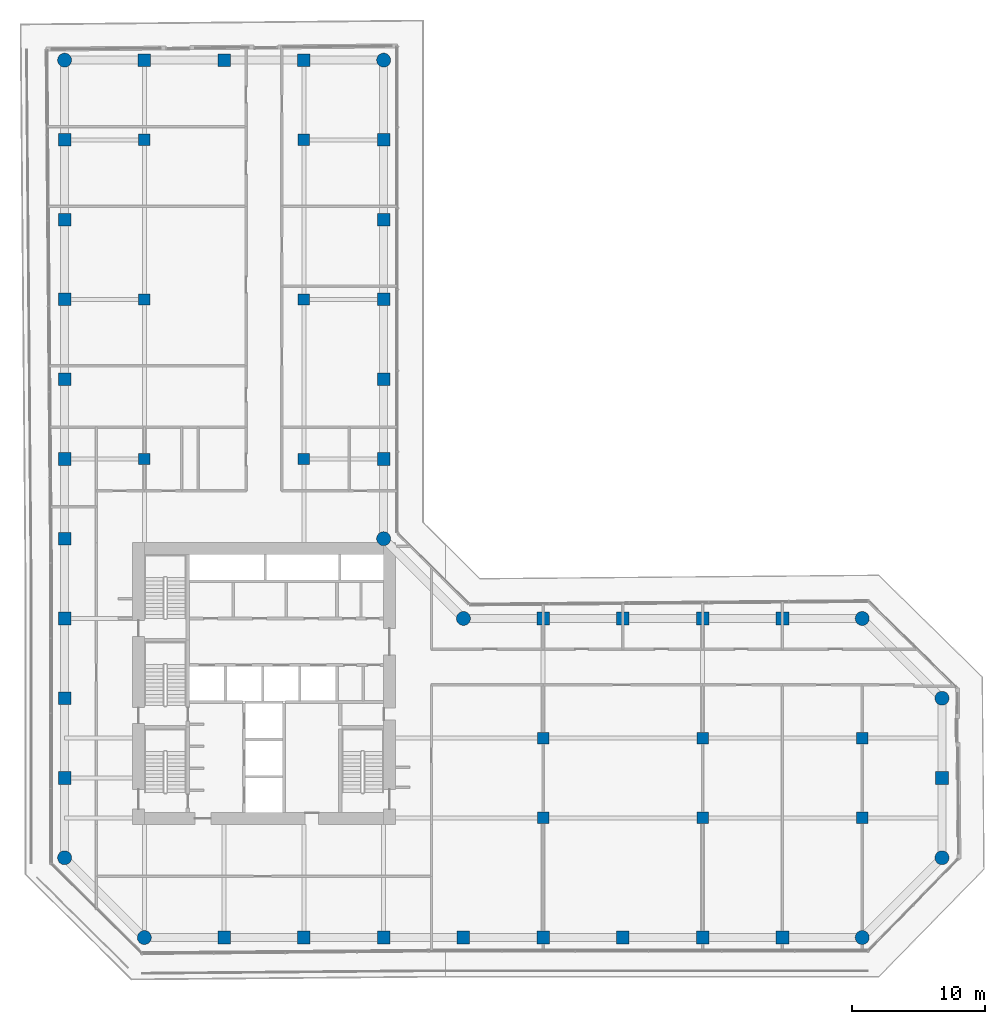
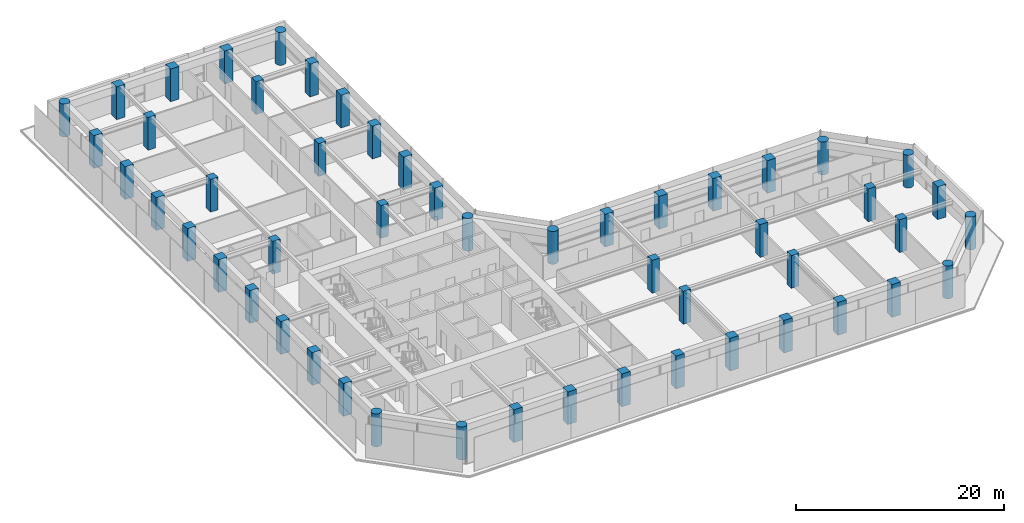
# One storey, part 1 of 28: 52 columns.
"""IFC4 building model written with IfcOpenShell, lengths in metres."""

from ifc_helpers import new_model, si_unit, direction, frame, origin, origin_2d, place, context, subcontext, project, spatial, rectangle, circle, extrude, material, material_profile, profile_set, type_object, element, save


model = new_model("IFC4")

# Units and contexts
model_context = context("Model", 3, precision=1e-05, world=origin(), true_north=direction((0.0, 1.0)))
body_context = subcontext(model_context, "Body", "Model", "MODEL_VIEW")
ifc_project = project(units=[si_unit("LENGTHUNIT", "METRE"), si_unit("AREAUNIT", "SQUARE_METRE"), si_unit("VOLUMEUNIT", "CUBIC_METRE"), si_unit("PLANEANGLEUNIT", "RADIAN"), si_unit("MASSUNIT", "GRAM", prefix="KILO")], contexts=[model_context])

# Site, building, storey
site_placement = place(None, origin())
site = spatial("IfcSite", under=ifc_project, at=site_placement, CompositionType="ELEMENT")
building_placement = place(site_placement, origin())
building = spatial("IfcBuilding", under=site, at=building_placement, Name="Welwitschia Terrace Campus", CompositionType="ELEMENT")
storey_placement = place(building_placement, frame((0.0, 0.0, 54.199951171875)))
storey = spatial("IfcBuildingStorey", under=building, at=storey_placement, Name="L12", CompositionType="ELEMENT", Elevation=54.199951171875)

# Columns
ifc_material_1 = material(Name="Concrete C60/75", Category="concrete")
ifc_material_profile_1 = material_profile(ifc_material_1, circle(Radius=0.52490234375, at=origin_2d()))
ifc_profile_set_1 = profile_set([ifc_material_profile_1], Name="Concrete C60/75")
column_type_1 = type_object("IfcColumnType", Name="Corner column 1050 dia", PredefinedType="COLUMN", material=ifc_profile_set_1)
for number, where, z_axis, x_axis, name in (
    (1, (0.0, 2.0, 0.0), (0.0, 0.0, 1.0), (1.0, 0.0, 0.0), "Column C5"),
    (2, (0.0, 62.0, 0.0), (0.0, 0.0, 1.0), (1.0, 0.0, 0.0), "Column C5"),
    (3, (6.0, -4.0, 0.0), (0.0, 0.0, 1.0), (1.0, 0.0, 0.0), "Column C5"),
    (4, (24.0, 26.0, 0.0), (0.0, 0.0, 1.0), (1.0, 0.0, 0.0), "Column C5"),
    (5, (24.0, 62.0, 0.0), (0.0, 0.0, 1.0), (1.0, 0.0, 0.0), "Column C5"),
    (6, (30.0, 20.0, 0.0), (0.0, 0.0, 1.0), (1.0, 0.0, 0.0), "Column C5"),
    (7, (60.0, -4.0, 0.0), (0.0, 0.0, 1.0), (1.0, 0.0, 0.0), "Column C5"),
    (8, (60.0, 20.0, 0.0), (0.0, 0.0, 1.0), (1.0, 0.0, 0.0), "Column C5"),
    (9, (66.0, 2.0, 0.0), (0.0, 0.0, 1.0), (1.0, 0.0, 0.0), "Column C5"),
    (10, (66.0, 14.0, 0.0), (0.0, 0.0, 1.0), (1.0, 0.0, 0.0), "Column C5"),
):
    element("IfcColumn", number, at=place(storey_placement, frame(where, z_axis=z_axis, x_axis=x_axis)), inside=storey, type_object=column_type_1, Name=name, PredefinedType="COLUMN", context=body_context, shape_type="SweptSolid", body=[
        extrude(circle(Radius=0.52490234375, at=origin_2d()), origin(), (0.0, 0.0, 1.0), 3.85009765625),
    ])
ifc_material_2 = material(Name="Concrete C60/75", Category="concrete")
ifc_material_profile_2 = material_profile(ifc_material_2, rectangle(XDim=0.85009765625, YDim=0.85009765625, at=origin_2d()))
ifc_profile_set_2 = profile_set([ifc_material_profile_2], Name="Concrete C60/75")
column_type_2 = type_object("IfcColumnType", Name="Interior column 850x850", PredefinedType="COLUMN", material=ifc_profile_set_2)
for number, where, z_axis, x_axis, name in (
    (11, (6.0, 32.0, 0.0), (0.0, 0.0, 1.0), (1.0, 0.0, 0.0), "Column C7"),
    (12, (6.0, 44.0, 0.0), (0.0, 0.0, 1.0), (1.0, 0.0, 0.0), "Column C7"),
    (13, (6.0, 56.0, 0.0), (0.0, 0.0, 1.0), (1.0, 0.0, 0.0), "Column C7"),
    (14, (18.0, 32.0, 0.0), (0.0, 0.0, 1.0), (1.0, 0.0, 0.0), "Column C7"),
    (15, (18.0, 44.0, 0.0), (0.0, 0.0, 1.0), (1.0, 0.0, 0.0), "Column C7"),
    (16, (18.0, 56.0, 0.0), (0.0, 0.0, 1.0), (1.0, 0.0, 0.0), "Column C7"),
    (17, (36.0, 5.0, 0.0), (0.0, 0.0, 1.0), (1.0, 0.0, 0.0), "Column C7"),
    (18, (36.0, 11.0, 0.0), (0.0, 0.0, 1.0), (1.0, 0.0, 0.0), "Column C7"),
    (19, (48.0, 5.0, 0.0), (0.0, 0.0, 1.0), (1.0, 0.0, 0.0), "Column C7"),
    (20, (48.0, 11.0, 0.0), (0.0, 0.0, 1.0), (1.0, 0.0, 0.0), "Column C7"),
    (21, (60.0, 5.0, 0.0), (0.0, 0.0, 1.0), (1.0, 0.0, 0.0), "Column C7"),
    (22, (60.0, 11.0, 0.0), (0.0, 0.0, 1.0), (1.0, 0.0, 0.0), "Column C7"),
):
    element("IfcColumn", number, at=place(storey_placement, frame(where, z_axis=z_axis, x_axis=x_axis)), inside=storey, type_object=column_type_2, Name=name, PredefinedType="COLUMN", context=body_context, shape_type="SweptSolid", body=[
        extrude(rectangle(XDim=0.85009765625, YDim=0.85009765625, at=origin_2d()), origin(), (0.0, 0.0, 1.0), 3.85009765625),
    ])
ifc_material_3 = material(Name="Concrete C60/75", Category="concrete")
ifc_material_profile_3 = material_profile(ifc_material_3, rectangle(XDim=0.949951171875, YDim=0.949951171875, at=origin_2d()))
ifc_profile_set_3 = profile_set([ifc_material_profile_3], Name="Concrete C60/75")
column_type_3 = type_object("IfcColumnType", Name="Ring column 950x950", PredefinedType="COLUMN", material=ifc_profile_set_3)
for number, where, z_axis, x_axis, name in (
    (23, (0.0, 8.0, 0.0), (0.0, 0.0, 1.0), (1.0, 0.0, 0.0), "Column C6"),
    (24, (0.0, 14.0, 0.0), (0.0, 0.0, 1.0), (1.0, 0.0, 0.0), "Column C6"),
    (25, (0.0, 20.0, 0.0), (0.0, 0.0, 1.0), (1.0, 0.0, 0.0), "Column C6"),
    (26, (0.0, 26.0, 0.0), (0.0, 0.0, 1.0), (1.0, 0.0, 0.0), "Column C6"),
    (27, (0.0, 32.0, 0.0), (0.0, 0.0, 1.0), (1.0, 0.0, 0.0), "Column C6"),
    (28, (0.0, 38.0, 0.0), (0.0, 0.0, 1.0), (1.0, 0.0, 0.0), "Column C6"),
    (29, (0.0, 44.0, 0.0), (0.0, 0.0, 1.0), (1.0, 0.0, 0.0), "Column C6"),
    (30, (0.0, 50.0, 0.0), (0.0, 0.0, 1.0), (1.0, 0.0, 0.0), "Column C6"),
    (31, (0.0, 56.0, 0.0), (0.0, 0.0, 1.0), (1.0, 0.0, 0.0), "Column C6"),
    (32, (6.0, 62.0, 0.0), (0.0, 0.0, 1.0), (1.0, 0.0, 0.0), "Column C6"),
    (33, (12.0, -4.0, 0.0), (0.0, 0.0, 1.0), (1.0, 0.0, 0.0), "Column C6"),
    (34, (12.0, 62.0, 0.0), (0.0, 0.0, 1.0), (1.0, 0.0, 0.0), "Column C6"),
    (35, (18.0, -4.0, 0.0), (0.0, 0.0, 1.0), (1.0, 0.0, 0.0), "Column C6"),
    (36, (18.0, 62.0, 0.0), (0.0, 0.0, 1.0), (1.0, 0.0, 0.0), "Column C6"),
    (37, (24.0, -4.0, 0.0), (0.0, 0.0, 1.0), (1.0, 0.0, 0.0), "Column C6"),
    (38, (24.0, 32.0, 0.0), (0.0, 0.0, 1.0), (1.0, 0.0, 0.0), "Column C6"),
    (39, (24.0, 38.0, 0.0), (0.0, 0.0, 1.0), (1.0, 0.0, 0.0), "Column C6"),
    (40, (24.0, 44.0, 0.0), (0.0, 0.0, 1.0), (1.0, 0.0, 0.0), "Column C6"),
    (41, (24.0, 50.0, 0.0), (0.0, 0.0, 1.0), (1.0, 0.0, 0.0), "Column C6"),
    (42, (24.0, 56.0, 0.0), (0.0, 0.0, 1.0), (1.0, 0.0, 0.0), "Column C6"),
    (43, (30.0, -4.0, 0.0), (0.0, 0.0, 1.0), (1.0, 0.0, 0.0), "Column C6"),
    (44, (36.0, -4.0, 0.0), (0.0, 0.0, 1.0), (1.0, 0.0, 0.0), "Column C6"),
    (45, (36.0, 20.0, 0.0), (0.0, 0.0, 1.0), (1.0, 0.0, 0.0), "Column C6"),
    (46, (42.0, -4.0, 0.0), (0.0, 0.0, 1.0), (1.0, 0.0, 0.0), "Column C6"),
    (47, (42.0, 20.0, 0.0), (0.0, 0.0, 1.0), (1.0, 0.0, 0.0), "Column C6"),
    (48, (48.0, -4.0, 0.0), (0.0, 0.0, 1.0), (1.0, 0.0, 0.0), "Column C6"),
    (49, (48.0, 20.0, 0.0), (0.0, 0.0, 1.0), (1.0, 0.0, 0.0), "Column C6"),
    (50, (54.0, -4.0, 0.0), (0.0, 0.0, 1.0), (1.0, 0.0, 0.0), "Column C6"),
    (51, (54.0, 20.0, 0.0), (0.0, 0.0, 1.0), (1.0, 0.0, 0.0), "Column C6"),
    (52, (66.0, 8.0, 0.0), (0.0, 0.0, 1.0), (1.0, 0.0, 0.0), "Column C6"),
):
    element("IfcColumn", number, at=place(storey_placement, frame(where, z_axis=z_axis, x_axis=x_axis)), inside=storey, type_object=column_type_3, Name=name, PredefinedType="COLUMN", context=body_context, shape_type="SweptSolid", body=[
        extrude(rectangle(XDim=0.949951171875, YDim=0.949951171875, at=origin_2d()), origin(), (0.0, 0.0, 1.0), 3.85009765625),
    ])

save(model, "model.ifc")
